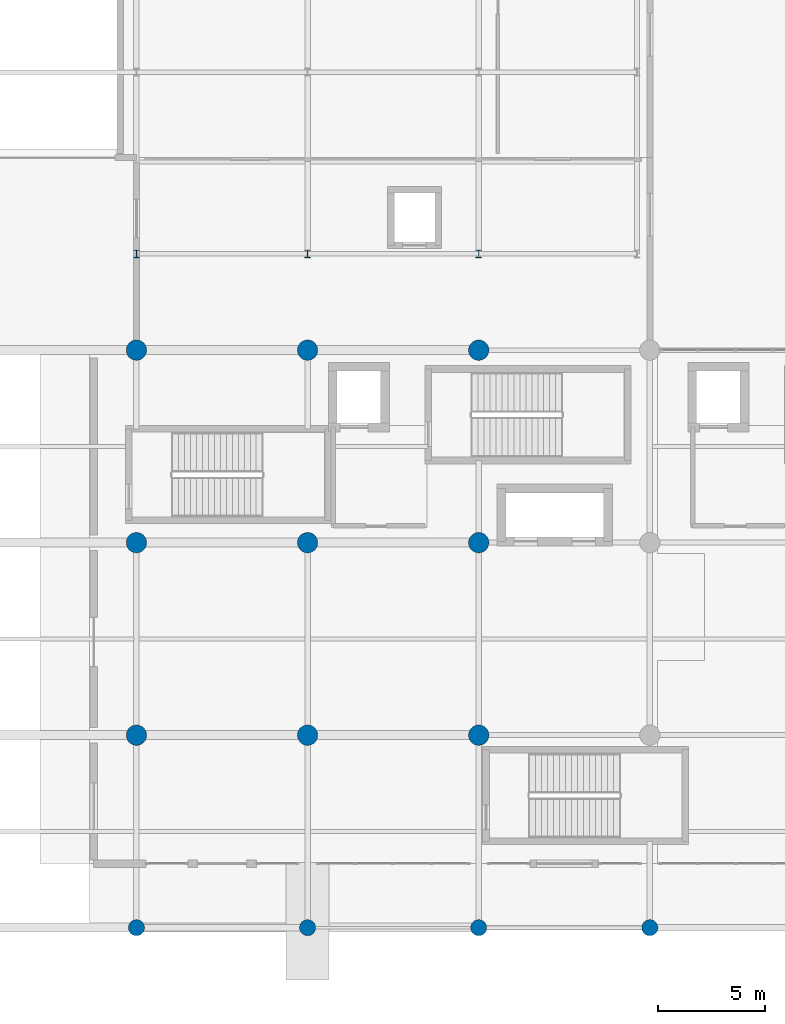
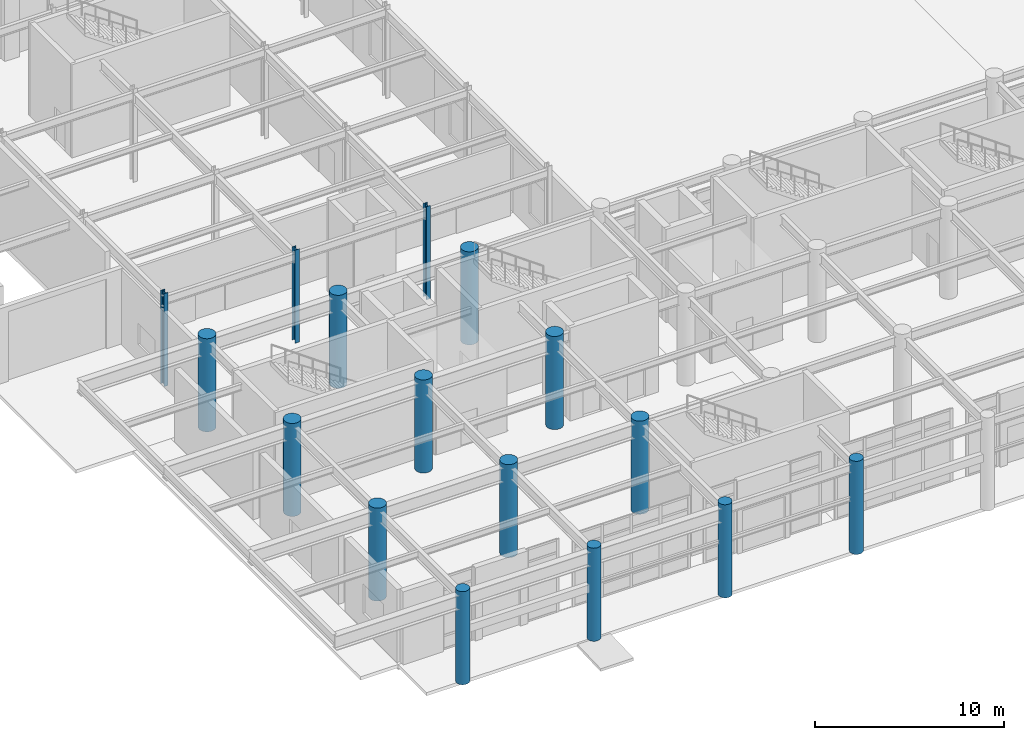
# One storey, part 1 of 49: 16 columns.
"""IFC4 building model written with IfcOpenShell, lengths in metres."""

from ifc_helpers import new_model, si_unit, direction, frame, origin, origin_2d, place, context, subcontext, project, spatial, circle, i_section, extrude, material, material_profile, profile_set, type_object, element, save


model = new_model("IFC4")

# Units and contexts
model_context = context("Model", 3, precision=1e-05, world=origin(), true_north=direction((0.0, 1.0)))
body_context = subcontext(model_context, "Body", "Model", "MODEL_VIEW")
ifc_project = project(units=[si_unit("LENGTHUNIT", "METRE"), si_unit("AREAUNIT", "SQUARE_METRE"), si_unit("VOLUMEUNIT", "CUBIC_METRE"), si_unit("PLANEANGLEUNIT", "RADIAN"), si_unit("MASSUNIT", "GRAM", prefix="KILO")], contexts=[model_context])

# Site, building, storey
site_placement = place(None, origin())
site = spatial("IfcSite", under=ifc_project, at=site_placement, CompositionType="ELEMENT")
building_placement = place(site_placement, origin())
building = spatial("IfcBuilding", under=site, at=building_placement, Name="Tlacozan Convention Centre", CompositionType="ELEMENT")
storey_placement = place(building_placement, origin())
storey = spatial("IfcBuildingStorey", under=building, at=storey_placement, Name="L00", CompositionType="ELEMENT", Elevation=0.0)

# Columns
ifc_material_1 = material(Name="Concrete C40/50", Category="concrete")
ifc_material_profile_1 = material_profile(ifc_material_1, circle(Radius=0.375, at=origin_2d()), Name="RCC D750")
ifc_profile_set_1 = profile_set([ifc_material_profile_1], Name="Concrete C40/50")
column_type_1 = type_object("IfcColumnType", Name="Column Round RCC D750", PredefinedType="COLUMN", material=ifc_profile_set_1)
for number, where, z_axis, x_axis, name in (
    (1, (8.0, 0.0, 0.0), (0.0, 0.0, 1.0), (1.0, 0.0, 0.0), "L00 Column 38"),
    (2, (16.0, 0.0, 0.0), (0.0, 0.0, 1.0), (1.0, 0.0, 0.0), "L00 Column 87"),
    (3, (24.0, 0.0, 0.0), (0.0, 0.0, 1.0), (1.0, 0.0, 0.0), "L00 Column 136"),
    (4, (32.0, 0.0, 0.0), (0.0, 0.0, 1.0), (1.0, 0.0, 0.0), "L00 Column 197"),
):
    element("IfcColumn", number, at=place(storey_placement, frame(where, z_axis=z_axis, x_axis=x_axis)), inside=storey, type_object=column_type_1, Name=name, PredefinedType="COLUMN", context=body_context, shape_type="SweptSolid", body=[
        extrude(circle(Radius=0.375, at=origin_2d()), origin(), (0.0, 0.0, 1.0), 6.0),
    ])
ifc_material_profile_2 = material_profile(ifc_material_1, circle(Radius=0.47509765625, at=origin_2d()), Name="RCC D950")
ifc_profile_set_2 = profile_set([ifc_material_profile_2], Name="Concrete C40/50")
column_type_2 = type_object("IfcColumnType", Name="Column Round RCC D950", PredefinedType="COLUMN", material=ifc_profile_set_2)
for number, where, z_axis, x_axis, name in (
    (5, (8.0, 9.0, 0.0), (0.0, 0.0, 1.0), (1.0, 0.0, 0.0), "L00 Column 44"),
    (6, (8.0, 18.0, 0.0), (0.0, 0.0, 1.0), (1.0, 0.0, 0.0), "L00 Column 50"),
    (7, (8.0, 27.0, 0.0), (0.0, 0.0, 1.0), (1.0, 0.0, 0.0), "L00 Column 56"),
    (8, (16.0, 9.0, 0.0), (0.0, 0.0, 1.0), (1.0, 0.0, 0.0), "L00 Column 93"),
    (9, (16.0, 18.0, 0.0), (0.0, 0.0, 1.0), (1.0, 0.0, 0.0), "L00 Column 99"),
    (10, (16.0, 27.0, 0.0), (0.0, 0.0, 1.0), (1.0, 0.0, 0.0), "L00 Column 105"),
    (11, (24.0, 9.0, 0.0), (0.0, 0.0, 1.0), (1.0, 0.0, 0.0), "L00 Column 142"),
    (12, (24.0, 18.0, 0.0), (0.0, 0.0, 1.0), (1.0, 0.0, 0.0), "L00 Column 148"),
    (13, (24.0, 27.0, 0.0), (0.0, 0.0, 1.0), (1.0, 0.0, 0.0), "L00 Column 154"),
):
    element("IfcColumn", number, at=place(storey_placement, frame(where, z_axis=z_axis, x_axis=x_axis)), inside=storey, type_object=column_type_2, Name=name, PredefinedType="COLUMN", context=body_context, shape_type="SweptSolid", body=[
        extrude(circle(Radius=0.47509765625, at=origin_2d()), origin(), (0.0, 0.0, 1.0), 6.0),
    ])
ifc_material_2 = material(Name="Steel ASTM A992 Grade 50", Category="steel")
ifc_material_profile_3 = material_profile(ifc_material_2, i_section(OverallWidth=0.257080078125, OverallDepth=0.363037109375, WebThickness=0.012939453125, FlangeThickness=0.021728515625, FilletRadius=0.014892578125, at=origin_2d()), Name="IR 356x122.0")
ifc_profile_set_3 = profile_set([ifc_material_profile_3], Name="Steel ASTM A992 Grade 50")
column_type_3 = type_object("IfcColumnType", Name="Column Steel IR 356x122", PredefinedType="COLUMN", material=ifc_profile_set_3)
for number, where, z_axis, x_axis, name in (
    (14, (8.0, 31.5, 0.0), (0.0, 0.0, 1.0), (1.0, 0.0, 0.0), "L00 Column 62"),
    (15, (16.0, 31.5, 0.0), (0.0, 0.0, 1.0), (1.0, 0.0, 0.0), "L00 Column 111"),
    (16, (24.0, 31.5, 0.0), (0.0, 0.0, 1.0), (1.0, 0.0, 0.0), "L00 Column 160"),
):
    element("IfcColumn", number, at=place(storey_placement, frame(where, z_axis=z_axis, x_axis=x_axis)), inside=storey, type_object=column_type_3, Name=name, PredefinedType="COLUMN", context=body_context, shape_type="SweptSolid", body=[
        extrude(i_section(OverallWidth=0.257080078125, OverallDepth=0.363037109375, WebThickness=0.012939453125, FlangeThickness=0.021728515625, FilletRadius=0.014892578125, at=origin_2d()), origin(), (0.0, 0.0, 1.0), 6.0),
    ])

save(model, "model.ifc")
